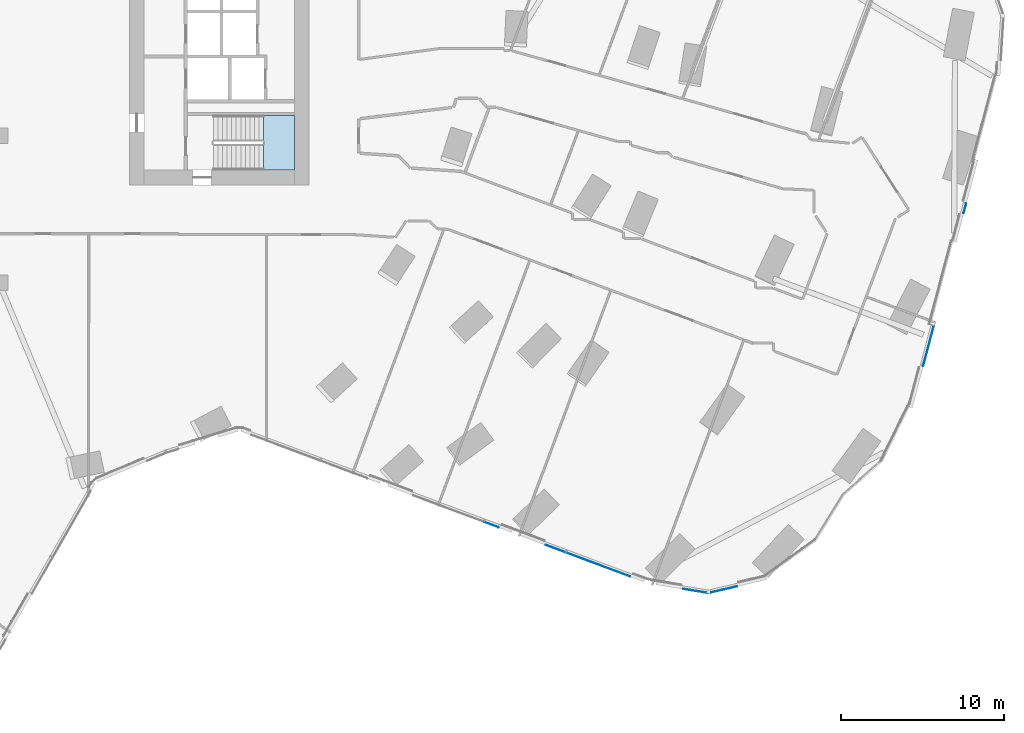
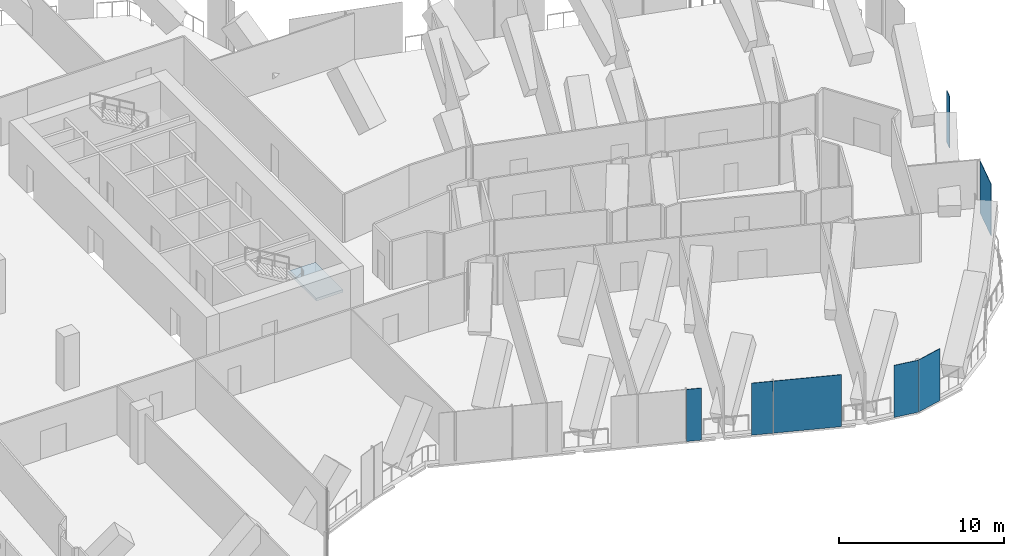
# One storey, part 21 of 34: 7 plates, 1 slab, 5 elements without a shape of their own.
"""IFC4 building model written with IfcOpenShell, lengths in metres."""

from ifc_helpers import new_model, si_unit, direction, frame, origin, origin_2d, place, context, subcontext, project, spatial, polyline, rectangle, outline, extrude, material, layer, layer_set, type_object, element, aggregate, save


model = new_model("IFC4")

# Units and contexts
model_context = context("Model", 3, precision=1e-05, world=origin(), true_north=direction((0.0, 1.0)))
body_context = subcontext(model_context, "Body", "Model", "MODEL_VIEW")
ifc_project = project(units=[si_unit("LENGTHUNIT", "METRE"), si_unit("AREAUNIT", "SQUARE_METRE"), si_unit("VOLUMEUNIT", "CUBIC_METRE"), si_unit("PLANEANGLEUNIT", "RADIAN"), si_unit("MASSUNIT", "GRAM", prefix="KILO")], contexts=[model_context])

# Site, building, storey
site_placement = place(None, origin())
site = spatial("IfcSite", under=ifc_project, at=site_placement, CompositionType="ELEMENT")
building_placement = place(site_placement, origin())
building = spatial("IfcBuilding", under=site, at=building_placement, Name="Orlundy Tower", CompositionType="ELEMENT")
storey_placement = place(building_placement, frame((0.0, 0.0, 98.199951171875)))
storey = spatial("IfcBuildingStorey", under=building, at=storey_placement, Name="L24", CompositionType="ELEMENT", Elevation=98.199951171875)

# Curtain wall, plate
ifc_material_1 = material(Name="Aluminium bronze anodised", Category="aluminium")
curtain_wall_type = type_object("IfcCurtainWallType", Name="CW5 wall", PredefinedType="NOTDEFINED", material=ifc_material_1)
curtain_wall_1_placement = place(storey_placement, origin())
curtain_wall_1 = element("IfcCurtainWall", 1, at=curtain_wall_1_placement, inside=storey, type_object=curtain_wall_type, Name="CW5 run 034", PredefinedType="NOTDEFINED")
ifc_material_2 = material(Name="Tinted glass", Category="glass")
ifc_layer_1 = layer(ifc_material_2, 0.031982421875)
ifc_layer_set_1 = layer_set([ifc_layer_1], Name="CW5 glass panel 32")
plate_type_1 = type_object("IfcPlateType", Name="CW5 glass panel 32", PredefinedType="CURTAIN_PANEL", material=ifc_layer_set_1)
plate_1_placement = place(storey_placement, frame((56.984375, -21.870361328125, -0.259765625), z_axis=(0.0, 0.0, 1.0), x_axis=(-0.255990719194, -0.966679239296, 0.0)))
plate_1 = element("IfcPlate", 2, at=plate_1_placement, type_object=plate_type_1, Name="CW5 panel", PredefinedType="CURTAIN_PANEL", context=body_context, shape_type="SweptSolid", body=[
    extrude(rectangle(XDim=2.555908203125, YDim=0.031982421875, at=origin_2d()), origin(), (0.0, 0.0, 1.0), 3.860107421875),
])

curtain_wall_2_placement = place(storey_placement, origin())
curtain_wall_2 = element("IfcCurtainWall", 3, at=curtain_wall_2_placement, inside=storey, type_object=curtain_wall_type, Name="CW5 run 039", PredefinedType="NOTDEFINED")
plate_2_placement = place(storey_placement, frame((44.367431640625, -36.82177734375, -0.259765625), z_axis=(0.0, 0.0, 1.0), x_axis=(-0.97335344577, -0.229309985845, 0.0)))
plate_2 = element("IfcPlate", 4, at=plate_2_placement, type_object=plate_type_1, Name="CW5 panel", PredefinedType="CURTAIN_PANEL", context=body_context, shape_type="SweptSolid", body=[
    extrude(rectangle(XDim=1.793701171875, YDim=0.031982421875, at=origin_2d()), origin(), (0.0, 0.0, 1.0), 3.860107421875),
])
aggregate(curtain_wall_2, [plate_2])

curtain_wall_3_placement = place(storey_placement, origin())
curtain_wall_3 = element("IfcCurtainWall", 5, at=curtain_wall_3_placement, inside=storey, type_object=curtain_wall_type, Name="CW5 run 040", PredefinedType="NOTDEFINED")
plate_3_placement = place(storey_placement, frame((42.71875, -36.901123046875, -0.259765625), z_axis=(0.0, 0.0, 1.0), x_axis=(-0.986992343076, 0.160767268774, 0.0)))
plate_3 = element("IfcPlate", 6, at=plate_3_placement, type_object=plate_type_1, Name="CW5 panel", PredefinedType="CURTAIN_PANEL", context=body_context, shape_type="SweptSolid", body=[
    extrude(rectangle(XDim=1.572021484375, YDim=0.031982421875, at=origin_2d()), origin(), (0.0, 0.0, 1.0), 3.860107421875),
])
aggregate(curtain_wall_3, [plate_3])

# Curtain wall, plates
curtain_wall_4_placement = place(storey_placement, origin())
curtain_wall_4 = element("IfcCurtainWall", 7, at=curtain_wall_4_placement, inside=storey, type_object=curtain_wall_type, Name="CW5 run 041", PredefinedType="NOTDEFINED")
plate_4_placement = place(storey_placement, frame((34.115478515625, -34.30419921875, -0.259765625), z_axis=(0.0, 0.0, 1.0), x_axis=(-0.936667840729, 0.350219011684, 0.0)))
plate_4 = element("IfcPlate", 8, at=plate_4_placement, type_object=plate_type_1, Name="CW5 panel", PredefinedType="CURTAIN_PANEL", context=body_context, shape_type="SweptSolid", body=[
    extrude(rectangle(XDim=1.298828125, YDim=0.031982421875, at=origin_2d()), origin(), (0.0, 0.0, 1.0), 3.860107421875),
])
plate_5_placement = place(storey_placement, frame((30.1884765625, -32.8359375, -0.259765625), z_axis=(0.0, 0.0, 1.0), x_axis=(-0.936667840729, 0.350219011684, 0.0)))
plate_5 = element("IfcPlate", 9, at=plate_5_placement, type_object=plate_type_1, Name="CW5 panel", PredefinedType="CURTAIN_PANEL", context=body_context, shape_type="SweptSolid", body=[
    extrude(rectangle(XDim=0.92919921875, YDim=0.031982421875, at=origin_2d()), origin(), (0.0, 0.0, 1.0), 3.860107421875),
])

# Plate
ifc_material_3 = material(Name="Tinted glass", Category="glass")
ifc_layer_2 = layer(ifc_material_3, 0.031982421875)
ifc_layer_set_2 = layer_set([ifc_layer_2], Name="CW5 vent panel 32")
plate_type_2 = type_object("IfcPlateType", Name="CW5 vent panel 32", PredefinedType="CURTAIN_PANEL", material=ifc_layer_set_2)
plate_6_placement = place(storey_placement, frame((59.217529296875, -13.4375, -0.259765625), z_axis=(0.0, 0.0, 1.0), x_axis=(-0.255990719194, -0.966679239296, 0.0)))
plate_6 = element("IfcPlate", 10, at=plate_6_placement, type_object=plate_type_2, Name="CW5 panel", PredefinedType="CURTAIN_PANEL", context=body_context, shape_type="SweptSolid", body=[
    extrude(rectangle(XDim=0.60888671875, YDim=0.031982421875, at=origin_2d()), origin(), (0.0, 0.0, 1.0), 3.860107421875),
])

aggregate(curtain_wall_1, [plate_6, plate_1])

plate_7_placement = place(storey_placement, frame((36.731689453125, -35.2822265625, -0.259765625), z_axis=(0.0, 0.0, 1.0), x_axis=(-0.936667840729, 0.350219011684, 0.0)))
plate_7 = element("IfcPlate", 11, at=plate_7_placement, type_object=plate_type_2, Name="CW5 panel", PredefinedType="CURTAIN_PANEL", context=body_context, shape_type="SweptSolid", body=[
    extrude(rectangle(XDim=4.187255859375, YDim=0.031982421875, at=origin_2d()), origin(), (0.0, 0.0, 1.0), 3.860107421875),
])

aggregate(curtain_wall_4, [plate_7, plate_4, plate_5])

# Stair, slab
ifc_material_4 = material(Name="Concrete C50/60", Category="concrete")
stair_type = type_object("IfcStairType", Name="Exit Stair 24 risers", PredefinedType="HALF_TURN_STAIR", material=ifc_material_4)
stair_placement = place(storey_placement, origin())
stair = element("IfcStair", 12, at=stair_placement, inside=storey, type_object=stair_type, Name="L24 Exit Stair ST-E1", PredefinedType="HALF_TURN_STAIR")
ifc_material_5 = material(Name="Concrete C50/60", Category="concrete")
ifc_layer_3 = layer(ifc_material_5, 0.199951171875)
ifc_layer_set_3 = layer_set([ifc_layer_3], Name="Exit Stair Landing")
slab_type = type_object("IfcSlabType", Name="Exit Stair Landing", PredefinedType="LANDING", material=ifc_layer_set_3)
slab_placement = place(storey_placement, frame((0.0, 0.0, 1.800048828125)))
slab = element("IfcSlab", 13, at=slab_placement, type_object=slab_type, Name="ST-E1 landing 1", PredefinedType="LANDING", context=body_context, shape_type="SweptSolid", body=[
    extrude(outline(polyline([(16.219970703125, -11.10009765625), (18.10009765625, -11.10009765625), (18.10009765625, -7.75), (16.219970703125, -7.75), (16.219970703125, -11.10009765625)])), origin(), (0.0, 0.0, 1.0), 0.199951171875),
])
aggregate(stair, [slab])

save(model, "model.ifc")
